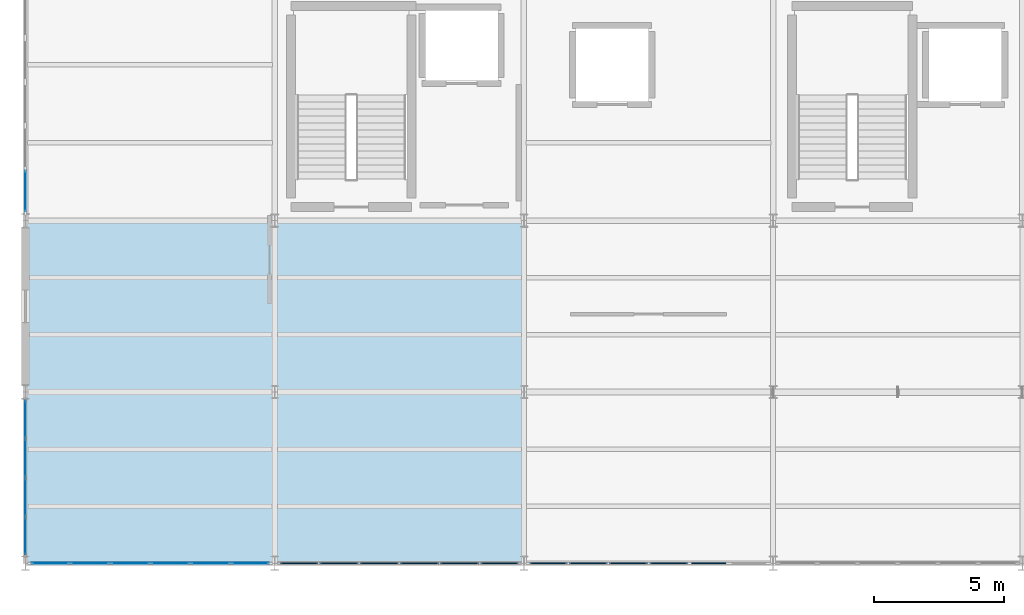
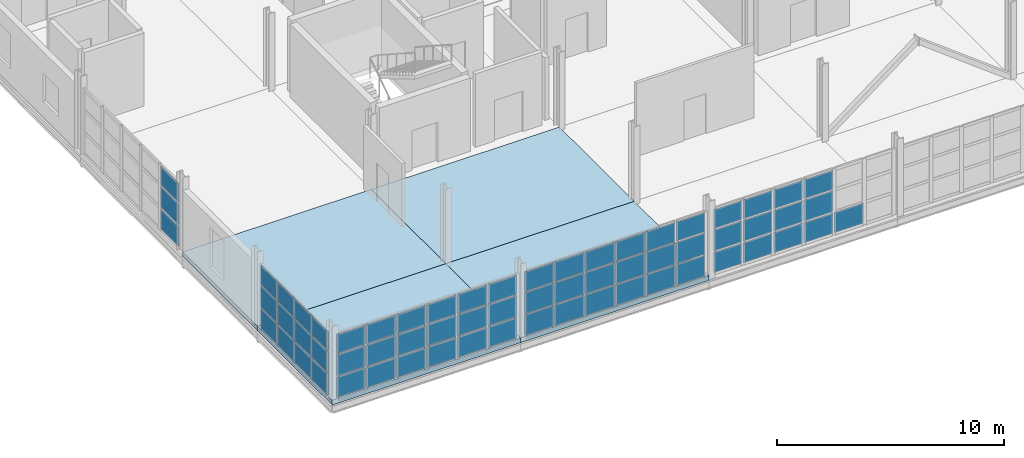
# One storey, part 48 of 82: 64 plates, 4 slabs, 5 elements without a shape of their own.
"""IFC4 building model written with IfcOpenShell, lengths in metres."""

from ifc_helpers import new_model, si_unit, direction, frame, origin, origin_2d, place, context, subcontext, project, spatial, polyline, rectangle, outline, extrude, material, layer, layer_set, type_object, element, aggregate, save


model = new_model("IFC4")

# Units and contexts
model_context = context("Model", 3, precision=1e-05, world=origin(), true_north=direction((0.0, 1.0)))
body_context = subcontext(model_context, "Body", "Model", "MODEL_VIEW")
ifc_project = project(units=[si_unit("LENGTHUNIT", "METRE"), si_unit("AREAUNIT", "SQUARE_METRE"), si_unit("VOLUMEUNIT", "CUBIC_METRE"), si_unit("PLANEANGLEUNIT", "RADIAN"), si_unit("MASSUNIT", "GRAM", prefix="KILO")], contexts=[model_context])

# Site, building, storey
site_placement = place(None, origin())
site = spatial("IfcSite", under=ifc_project, at=site_placement, CompositionType="ELEMENT")
building_placement = place(site_placement, origin())
building = spatial("IfcBuilding", under=site, at=building_placement, Name="Zarnetskaya Central Station", CompositionType="ELEMENT")
storey_placement = place(building_placement, frame((0.0, 0.0, 10.199951171875)))
storey = spatial("IfcBuildingStorey", under=building, at=storey_placement, Name="L02", CompositionType="ELEMENT", Elevation=10.199951171875)

# Curtain wall, plates
ifc_material_1 = material(Name="Low-E insulated glass", Category="glass")
ifc_layer_1 = layer(ifc_material_1, 0.172119140625, Name="Low-E insulated glass", Category="glass")
ifc_layer_set_1 = layer_set([ifc_layer_1], Name="Low-E insulated glass")
curtain_wall_type_1 = type_object("IfcCurtainWallType", Name="CW-SYS-04", PredefinedType="USERDEFINED", material=ifc_layer_set_1)
curtain_wall_1_placement = place(storey_placement, origin())
curtain_wall_1 = element("IfcCurtainWall", 1, at=curtain_wall_1_placement, inside=storey, type_object=curtain_wall_type_1, Name="Curtain wall CW-L02-015", ObjectType="CURTAIN WALL", PredefinedType="USERDEFINED")
ifc_layer_2 = layer(ifc_material_1, 0.028076171875, Name="Low-E insulated glass", Category="glass")
ifc_layer_set_2 = layer_set([ifc_layer_2], Name="Low-E insulated glass")
plate_type_1 = type_object("IfcPlateType", Name="CW-PAN-28", PredefinedType="CURTAIN_PANEL", material=ifc_layer_set_2)
plate_1_placement = place(storey_placement, frame((0.0, 1.048828125, 0.070068359375), z_axis=(0.0, 0.0, 1.0), x_axis=(0.0, 1.0, 0.0)))
plate_1 = element("IfcPlate", 2, at=plate_1_placement, type_object=plate_type_1, Name="CW-15 panel 1.1", PredefinedType="CURTAIN_PANEL", context=body_context, shape_type="SweptSolid", body=[
    extrude(rectangle(XDim=1.407470703125, YDim=0.028076171875, at=origin_2d()), origin(), (0.0, 0.0, 1.0), 1.10205078125),
])
plate_2_placement = place(storey_placement, frame((0.0, 1.048828125, 1.2421875), z_axis=(0.0, 0.0, 1.0), x_axis=(0.0, 1.0, 0.0)))
plate_2 = element("IfcPlate", 3, at=plate_2_placement, type_object=plate_type_1, Name="CW-15 panel 1.2", PredefinedType="CURTAIN_PANEL", context=body_context, shape_type="SweptSolid", body=[
    extrude(rectangle(XDim=1.407470703125, YDim=0.028076171875, at=origin_2d()), origin(), (0.0, 0.0, 1.0), 1.136962890625),
])
plate_3_placement = place(storey_placement, frame((0.0, 1.048828125, 2.44921875), z_axis=(0.0, 0.0, 1.0), x_axis=(0.0, 1.0, 0.0)))
plate_3 = element("IfcPlate", 4, at=plate_3_placement, type_object=plate_type_1, Name="CW-15 panel 1.3", PredefinedType="CURTAIN_PANEL", context=body_context, shape_type="SweptSolid", body=[
    extrude(rectangle(XDim=1.407470703125, YDim=0.028076171875, at=origin_2d()), origin(), (0.0, 0.0, 1.0), 1.031005859375),
])
plate_4_placement = place(storey_placement, frame((0.0, 2.543701171875, 0.070068359375), z_axis=(0.0, 0.0, 1.0), x_axis=(0.0, 1.0, 0.0)))
plate_4 = element("IfcPlate", 5, at=plate_4_placement, type_object=plate_type_1, Name="CW-15 panel 2.1", PredefinedType="CURTAIN_PANEL", context=body_context, shape_type="SweptSolid", body=[
    extrude(rectangle(XDim=1.4423828125, YDim=0.028076171875, at=origin_2d()), origin(), (0.0, 0.0, 1.0), 1.10205078125),
])
plate_5_placement = place(storey_placement, frame((0.0, 2.543701171875, 1.2421875), z_axis=(0.0, 0.0, 1.0), x_axis=(0.0, 1.0, 0.0)))
plate_5 = element("IfcPlate", 6, at=plate_5_placement, type_object=plate_type_1, Name="CW-15 panel 2.2", PredefinedType="CURTAIN_PANEL", context=body_context, shape_type="SweptSolid", body=[
    extrude(rectangle(XDim=1.4423828125, YDim=0.028076171875, at=origin_2d()), origin(), (0.0, 0.0, 1.0), 1.136962890625),
])
plate_6_placement = place(storey_placement, frame((0.0, 2.543701171875, 2.44921875), z_axis=(0.0, 0.0, 1.0), x_axis=(0.0, 1.0, 0.0)))
plate_6 = element("IfcPlate", 7, at=plate_6_placement, type_object=plate_type_1, Name="CW-15 panel 2.3", PredefinedType="CURTAIN_PANEL", context=body_context, shape_type="SweptSolid", body=[
    extrude(rectangle(XDim=1.4423828125, YDim=0.028076171875, at=origin_2d()), origin(), (0.0, 0.0, 1.0), 1.031005859375),
])
plate_7_placement = place(storey_placement, frame((0.0, 4.05615234375, 0.070068359375), z_axis=(0.0, 0.0, 1.0), x_axis=(0.0, 1.0, 0.0)))
plate_7 = element("IfcPlate", 8, at=plate_7_placement, type_object=plate_type_1, Name="CW-15 panel 3.1", PredefinedType="CURTAIN_PANEL", context=body_context, shape_type="SweptSolid", body=[
    extrude(rectangle(XDim=1.4423828125, YDim=0.028076171875, at=origin_2d()), origin(), (0.0, 0.0, 1.0), 1.10205078125),
])
plate_8_placement = place(storey_placement, frame((0.0, 4.05615234375, 1.2421875), z_axis=(0.0, 0.0, 1.0), x_axis=(0.0, 1.0, 0.0)))
plate_8 = element("IfcPlate", 9, at=plate_8_placement, type_object=plate_type_1, Name="CW-15 panel 3.2", PredefinedType="CURTAIN_PANEL", context=body_context, shape_type="SweptSolid", body=[
    extrude(rectangle(XDim=1.4423828125, YDim=0.028076171875, at=origin_2d()), origin(), (0.0, 0.0, 1.0), 1.136962890625),
])
plate_9_placement = place(storey_placement, frame((0.0, 4.05615234375, 2.44921875), z_axis=(0.0, 0.0, 1.0), x_axis=(0.0, 1.0, 0.0)))
plate_9 = element("IfcPlate", 10, at=plate_9_placement, type_object=plate_type_1, Name="CW-15 panel 3.3", PredefinedType="CURTAIN_PANEL", context=body_context, shape_type="SweptSolid", body=[
    extrude(rectangle(XDim=1.4423828125, YDim=0.028076171875, at=origin_2d()), origin(), (0.0, 0.0, 1.0), 1.031005859375),
])
plate_10_placement = place(storey_placement, frame((0.0, 5.55126953125, 0.070068359375), z_axis=(0.0, 0.0, 1.0), x_axis=(0.0, 1.0, 0.0)))
plate_10 = element("IfcPlate", 11, at=plate_10_placement, type_object=plate_type_1, Name="CW-15 panel 4.1", PredefinedType="CURTAIN_PANEL", context=body_context, shape_type="SweptSolid", body=[
    extrude(rectangle(XDim=1.407470703125, YDim=0.028076171875, at=origin_2d()), origin(), (0.0, 0.0, 1.0), 1.10205078125),
])
plate_11_placement = place(storey_placement, frame((0.0, 5.55126953125, 1.2421875), z_axis=(0.0, 0.0, 1.0), x_axis=(0.0, 1.0, 0.0)))
plate_11 = element("IfcPlate", 12, at=plate_11_placement, type_object=plate_type_1, Name="CW-15 panel 4.2", PredefinedType="CURTAIN_PANEL", context=body_context, shape_type="SweptSolid", body=[
    extrude(rectangle(XDim=1.407470703125, YDim=0.028076171875, at=origin_2d()), origin(), (0.0, 0.0, 1.0), 1.136962890625),
])
plate_12_placement = place(storey_placement, frame((0.0, 5.55126953125, 2.44921875), z_axis=(0.0, 0.0, 1.0), x_axis=(0.0, 1.0, 0.0)))
plate_12 = element("IfcPlate", 13, at=plate_12_placement, type_object=plate_type_1, Name="CW-15 panel 4.3", PredefinedType="CURTAIN_PANEL", context=body_context, shape_type="SweptSolid", body=[
    extrude(rectangle(XDim=1.407470703125, YDim=0.028076171875, at=origin_2d()), origin(), (0.0, 0.0, 1.0), 1.031005859375),
])
aggregate(curtain_wall_1, [plate_1, plate_2, plate_3, plate_4, plate_5, plate_6, plate_7, plate_8, plate_9, plate_10, plate_11, plate_12])

ifc_layer_3 = layer(ifc_material_1, 0.16796875, Name="Low-E insulated glass", Category="glass")
ifc_layer_set_3 = layer_set([ifc_layer_3], Name="Low-E insulated glass")
curtain_wall_type_2 = type_object("IfcCurtainWallType", Name="CW-SYS-08", PredefinedType="USERDEFINED", material=ifc_layer_set_3)
curtain_wall_2_placement = place(storey_placement, origin())
curtain_wall_2 = element("IfcCurtainWall", 14, at=curtain_wall_2_placement, inside=storey, type_object=curtain_wall_type_2, Name="Curtain wall CW-L02-030", ObjectType="CURTAIN WALL", PredefinedType="USERDEFINED")
plate_13_placement = place(storey_placement, frame((8.655029296875, 0.0, 0.080078125), z_axis=(0.0, 0.0, 1.0), x_axis=(-1.0, 0.0, 0.0)))
plate_13 = element("IfcPlate", 15, at=plate_13_placement, type_object=plate_type_1, Name="CW-16 panel 1.1", PredefinedType="CURTAIN_PANEL", context=body_context, shape_type="SweptSolid", body=[
    extrude(rectangle(XDim=1.429931640625, YDim=0.028076171875, at=origin_2d()), origin(), (0.0, 0.0, 1.0), 1.0869140625),
])
plate_14_placement = place(storey_placement, frame((8.655029296875, 0.0, 1.2470703125), z_axis=(0.0, 0.0, 1.0), x_axis=(-1.0, 0.0, 0.0)))
plate_14 = element("IfcPlate", 16, at=plate_14_placement, type_object=plate_type_1, Name="CW-16 panel 1.2", PredefinedType="CURTAIN_PANEL", context=body_context, shape_type="SweptSolid", body=[
    extrude(rectangle(XDim=1.429931640625, YDim=0.028076171875, at=origin_2d()), origin(), (0.0, 0.0, 1.0), 1.126953125),
])
plate_15_placement = place(storey_placement, frame((8.655029296875, 0.0, 2.4541015625), z_axis=(0.0, 0.0, 1.0), x_axis=(-1.0, 0.0, 0.0)))
plate_15 = element("IfcPlate", 17, at=plate_15_placement, type_object=plate_type_1, Name="CW-16 panel 1.3", PredefinedType="CURTAIN_PANEL", context=body_context, shape_type="SweptSolid", body=[
    extrude(rectangle(XDim=1.429931640625, YDim=0.028076171875, at=origin_2d()), origin(), (0.0, 0.0, 1.0), 1.01611328125),
])
plate_16_placement = place(storey_placement, frame((7.125, 0.0, 0.080078125), z_axis=(0.0, 0.0, 1.0), x_axis=(-1.0, 0.0, 0.0)))
plate_16 = element("IfcPlate", 18, at=plate_16_placement, type_object=plate_type_1, Name="CW-16 panel 2.1", PredefinedType="CURTAIN_PANEL", context=body_context, shape_type="SweptSolid", body=[
    extrude(rectangle(XDim=1.469970703125, YDim=0.028076171875, at=origin_2d()), origin(), (0.0, 0.0, 1.0), 1.0869140625),
])
plate_17_placement = place(storey_placement, frame((7.125, 0.0, 1.2470703125), z_axis=(0.0, 0.0, 1.0), x_axis=(-1.0, 0.0, 0.0)))
plate_17 = element("IfcPlate", 19, at=plate_17_placement, type_object=plate_type_1, Name="CW-16 panel 2.2", PredefinedType="CURTAIN_PANEL", context=body_context, shape_type="SweptSolid", body=[
    extrude(rectangle(XDim=1.469970703125, YDim=0.028076171875, at=origin_2d()), origin(), (0.0, 0.0, 1.0), 1.126953125),
])
plate_18_placement = place(storey_placement, frame((7.125, 0.0, 2.4541015625), z_axis=(0.0, 0.0, 1.0), x_axis=(-1.0, 0.0, 0.0)))
plate_18 = element("IfcPlate", 20, at=plate_18_placement, type_object=plate_type_1, Name="CW-16 panel 2.3", PredefinedType="CURTAIN_PANEL", context=body_context, shape_type="SweptSolid", body=[
    extrude(rectangle(XDim=1.469970703125, YDim=0.028076171875, at=origin_2d()), origin(), (0.0, 0.0, 1.0), 1.01611328125),
])
plate_19_placement = place(storey_placement, frame((5.574951171875, 0.0, 0.080078125), z_axis=(0.0, 0.0, 1.0), x_axis=(-1.0, 0.0, 0.0)))
plate_19 = element("IfcPlate", 21, at=plate_19_placement, type_object=plate_type_1, Name="CW-16 panel 3.1", PredefinedType="CURTAIN_PANEL", context=body_context, shape_type="SweptSolid", body=[
    extrude(rectangle(XDim=1.469970703125, YDim=0.028076171875, at=origin_2d()), origin(), (0.0, 0.0, 1.0), 1.0869140625),
])
plate_20_placement = place(storey_placement, frame((5.574951171875, 0.0, 1.2470703125), z_axis=(0.0, 0.0, 1.0), x_axis=(-1.0, 0.0, 0.0)))
plate_20 = element("IfcPlate", 22, at=plate_20_placement, type_object=plate_type_1, Name="CW-16 panel 3.2", PredefinedType="CURTAIN_PANEL", context=body_context, shape_type="SweptSolid", body=[
    extrude(rectangle(XDim=1.469970703125, YDim=0.028076171875, at=origin_2d()), origin(), (0.0, 0.0, 1.0), 1.126953125),
])
plate_21_placement = place(storey_placement, frame((5.574951171875, 0.0, 2.4541015625), z_axis=(0.0, 0.0, 1.0), x_axis=(-1.0, 0.0, 0.0)))
plate_21 = element("IfcPlate", 23, at=plate_21_placement, type_object=plate_type_1, Name="CW-16 panel 3.3", PredefinedType="CURTAIN_PANEL", context=body_context, shape_type="SweptSolid", body=[
    extrude(rectangle(XDim=1.469970703125, YDim=0.028076171875, at=origin_2d()), origin(), (0.0, 0.0, 1.0), 1.01611328125),
])
plate_22_placement = place(storey_placement, frame((4.02490234375, 0.0, 0.080078125), z_axis=(0.0, 0.0, 1.0), x_axis=(-1.0, 0.0, 0.0)))
plate_22 = element("IfcPlate", 24, at=plate_22_placement, type_object=plate_type_1, Name="CW-16 panel 4.1", PredefinedType="CURTAIN_PANEL", context=body_context, shape_type="SweptSolid", body=[
    extrude(rectangle(XDim=1.469970703125, YDim=0.028076171875, at=origin_2d()), origin(), (0.0, 0.0, 1.0), 1.0869140625),
])
plate_23_placement = place(storey_placement, frame((4.02490234375, 0.0, 1.2470703125), z_axis=(0.0, 0.0, 1.0), x_axis=(-1.0, 0.0, 0.0)))
plate_23 = element("IfcPlate", 25, at=plate_23_placement, type_object=plate_type_1, Name="CW-16 panel 4.2", PredefinedType="CURTAIN_PANEL", context=body_context, shape_type="SweptSolid", body=[
    extrude(rectangle(XDim=1.469970703125, YDim=0.028076171875, at=origin_2d()), origin(), (0.0, 0.0, 1.0), 1.126953125),
])
plate_24_placement = place(storey_placement, frame((4.02490234375, 0.0, 2.4541015625), z_axis=(0.0, 0.0, 1.0), x_axis=(-1.0, 0.0, 0.0)))
plate_24 = element("IfcPlate", 26, at=plate_24_placement, type_object=plate_type_1, Name="CW-16 panel 4.3", PredefinedType="CURTAIN_PANEL", context=body_context, shape_type="SweptSolid", body=[
    extrude(rectangle(XDim=1.469970703125, YDim=0.028076171875, at=origin_2d()), origin(), (0.0, 0.0, 1.0), 1.01611328125),
])
plate_25_placement = place(storey_placement, frame((2.47509765625, 0.0, 0.080078125), z_axis=(0.0, 0.0, 1.0), x_axis=(-1.0, 0.0, 0.0)))
plate_25 = element("IfcPlate", 27, at=plate_25_placement, type_object=plate_type_1, Name="CW-16 panel 5.1", PredefinedType="CURTAIN_PANEL", context=body_context, shape_type="SweptSolid", body=[
    extrude(rectangle(XDim=1.469970703125, YDim=0.028076171875, at=origin_2d()), origin(), (0.0, 0.0, 1.0), 1.0869140625),
])
plate_26_placement = place(storey_placement, frame((2.47509765625, 0.0, 1.2470703125), z_axis=(0.0, 0.0, 1.0), x_axis=(-1.0, 0.0, 0.0)))
plate_26 = element("IfcPlate", 28, at=plate_26_placement, type_object=plate_type_1, Name="CW-16 panel 5.2", PredefinedType="CURTAIN_PANEL", context=body_context, shape_type="SweptSolid", body=[
    extrude(rectangle(XDim=1.469970703125, YDim=0.028076171875, at=origin_2d()), origin(), (0.0, 0.0, 1.0), 1.126953125),
])
plate_27_placement = place(storey_placement, frame((2.47509765625, 0.0, 2.4541015625), z_axis=(0.0, 0.0, 1.0), x_axis=(-1.0, 0.0, 0.0)))
plate_27 = element("IfcPlate", 29, at=plate_27_placement, type_object=plate_type_1, Name="CW-16 panel 5.3", PredefinedType="CURTAIN_PANEL", context=body_context, shape_type="SweptSolid", body=[
    extrude(rectangle(XDim=1.469970703125, YDim=0.028076171875, at=origin_2d()), origin(), (0.0, 0.0, 1.0), 1.01611328125),
])
plate_28_placement = place(storey_placement, frame((0.945068359375, 0.0, 0.080078125), z_axis=(0.0, 0.0, 1.0), x_axis=(-1.0, 0.0, 0.0)))
plate_28 = element("IfcPlate", 30, at=plate_28_placement, type_object=plate_type_1, Name="CW-16 panel 6.1", PredefinedType="CURTAIN_PANEL", context=body_context, shape_type="SweptSolid", body=[
    extrude(rectangle(XDim=1.429931640625, YDim=0.028076171875, at=origin_2d()), origin(), (0.0, 0.0, 1.0), 1.0869140625),
])
plate_29_placement = place(storey_placement, frame((0.945068359375, 0.0, 1.2470703125), z_axis=(0.0, 0.0, 1.0), x_axis=(-1.0, 0.0, 0.0)))
plate_29 = element("IfcPlate", 31, at=plate_29_placement, type_object=plate_type_1, Name="CW-16 panel 6.2", PredefinedType="CURTAIN_PANEL", context=body_context, shape_type="SweptSolid", body=[
    extrude(rectangle(XDim=1.429931640625, YDim=0.028076171875, at=origin_2d()), origin(), (0.0, 0.0, 1.0), 1.126953125),
])
plate_30_placement = place(storey_placement, frame((0.945068359375, 0.0, 2.4541015625), z_axis=(0.0, 0.0, 1.0), x_axis=(-1.0, 0.0, 0.0)))
plate_30 = element("IfcPlate", 32, at=plate_30_placement, type_object=plate_type_1, Name="CW-16 panel 6.3", PredefinedType="CURTAIN_PANEL", context=body_context, shape_type="SweptSolid", body=[
    extrude(rectangle(XDim=1.429931640625, YDim=0.028076171875, at=origin_2d()), origin(), (0.0, 0.0, 1.0), 1.01611328125),
])
aggregate(curtain_wall_2, [plate_13, plate_14, plate_15, plate_16, plate_17, plate_18, plate_19, plate_20, plate_21, plate_22, plate_23, plate_24, plate_25, plate_26, plate_27, plate_28, plate_29, plate_30])

ifc_layer_4 = layer(ifc_material_1, 0.159912109375, Name="Low-E insulated glass", Category="glass")
ifc_layer_set_4 = layer_set([ifc_layer_4], Name="Low-E insulated glass")
curtain_wall_type_3 = type_object("IfcCurtainWallType", Name="CW-SYS-06", PredefinedType="USERDEFINED", material=ifc_layer_set_4)
curtain_wall_3_placement = place(storey_placement, origin())
curtain_wall_3 = element("IfcCurtainWall", 33, at=curtain_wall_3_placement, inside=storey, type_object=curtain_wall_type_3, Name="Curtain wall CW-L02-016", ObjectType="CURTAIN WALL", PredefinedType="USERDEFINED")
ifc_layer_5 = layer(ifc_material_1, 0.031982421875, Name="Low-E insulated glass", Category="glass")
ifc_layer_set_5 = layer_set([ifc_layer_5], Name="Low-E insulated glass")
plate_type_2 = type_object("IfcPlateType", Name="CW-PAN-32", PredefinedType="CURTAIN_PANEL", material=ifc_layer_set_5)
plate_31_placement = place(storey_placement, frame((0.0, 14.340087890625, 0.080078125), z_axis=(0.0, 0.0, 1.0), x_axis=(0.0, 1.0, 0.0)))
plate_31 = element("IfcPlate", 34, at=plate_31_placement, type_object=plate_type_2, Name="CW-02 panel 1.1", PredefinedType="CURTAIN_PANEL", context=body_context, shape_type="SweptSolid", body=[
    extrude(rectangle(XDim=1.570068359375, YDim=0.031982421875, at=origin_2d()), origin(), (0.0, 0.0, 1.0), 1.0869140625),
])
plate_32_placement = place(storey_placement, frame((0.0, 14.340087890625, 1.2470703125), z_axis=(0.0, 0.0, 1.0), x_axis=(0.0, 1.0, 0.0)))
plate_32 = element("IfcPlate", 35, at=plate_32_placement, type_object=plate_type_2, Name="CW-02 panel 1.2", PredefinedType="CURTAIN_PANEL", context=body_context, shape_type="SweptSolid", body=[
    extrude(rectangle(XDim=1.570068359375, YDim=0.031982421875, at=origin_2d()), origin(), (0.0, 0.0, 1.0), 1.126953125),
])
plate_33_placement = place(storey_placement, frame((0.0, 14.340087890625, 2.4541015625), z_axis=(0.0, 0.0, 1.0), x_axis=(0.0, 1.0, 0.0)))
plate_33 = element("IfcPlate", 36, at=plate_33_placement, type_object=plate_type_2, Name="CW-02 panel 1.3", PredefinedType="CURTAIN_PANEL", context=body_context, shape_type="SweptSolid", body=[
    extrude(rectangle(XDim=1.570068359375, YDim=0.031982421875, at=origin_2d()), origin(), (0.0, 0.0, 1.0), 1.01611328125),
])
aggregate(curtain_wall_3, [plate_31, plate_32, plate_33])

curtain_wall_4_placement = place(storey_placement, origin())
curtain_wall_4 = element("IfcCurtainWall", 37, at=curtain_wall_4_placement, inside=storey, type_object=curtain_wall_type_3, Name="Curtain wall CW-L02-028", ObjectType="CURTAIN WALL", PredefinedType="USERDEFINED")
ifc_layer_6 = layer(ifc_material_1, 0.0400390625, Name="Low-E insulated glass", Category="glass")
ifc_layer_set_6 = layer_set([ifc_layer_6], Name="Low-E insulated glass")
plate_type_3 = type_object("IfcPlateType", Name="CW-PAN-40", PredefinedType="CURTAIN_PANEL", material=ifc_layer_set_6)
plate_34_placement = place(storey_placement, frame((26.324951171875, 0.0, 0.080078125), z_axis=(0.0, 0.0, 1.0), x_axis=(-1.0, 0.0, 0.0)))
plate_34 = element("IfcPlate", 38, at=plate_34_placement, type_object=plate_type_3, Name="CW-02 panel 2.1", PredefinedType="CURTAIN_PANEL", context=body_context, shape_type="SweptSolid", body=[
    extrude(rectangle(XDim=1.469970703125, YDim=0.0400390625, at=origin_2d()), origin(), (0.0, 0.0, 1.0), 1.0869140625),
])
plate_35_placement = place(storey_placement, frame((24.77490234375, 0.0, 0.080078125), z_axis=(0.0, 0.0, 1.0), x_axis=(-1.0, 0.0, 0.0)))
plate_35 = element("IfcPlate", 39, at=plate_35_placement, type_object=plate_type_3, Name="CW-02 panel 3.1", PredefinedType="CURTAIN_PANEL", context=body_context, shape_type="SweptSolid", body=[
    extrude(rectangle(XDim=1.469970703125, YDim=0.0400390625, at=origin_2d()), origin(), (0.0, 0.0, 1.0), 1.0869140625),
])
plate_36_placement = place(storey_placement, frame((24.77490234375, 0.0, 1.2470703125), z_axis=(0.0, 0.0, 1.0), x_axis=(-1.0, 0.0, 0.0)))
plate_36 = element("IfcPlate", 40, at=plate_36_placement, type_object=plate_type_3, Name="CW-02 panel 3.2", PredefinedType="CURTAIN_PANEL", context=body_context, shape_type="SweptSolid", body=[
    extrude(rectangle(XDim=1.469970703125, YDim=0.0400390625, at=origin_2d()), origin(), (0.0, 0.0, 1.0), 1.126953125),
])
plate_37_placement = place(storey_placement, frame((24.77490234375, 0.0, 2.4541015625), z_axis=(0.0, 0.0, 1.0), x_axis=(-1.0, 0.0, 0.0)))
plate_37 = element("IfcPlate", 41, at=plate_37_placement, type_object=plate_type_3, Name="CW-02 panel 3.3", PredefinedType="CURTAIN_PANEL", context=body_context, shape_type="SweptSolid", body=[
    extrude(rectangle(XDim=1.469970703125, YDim=0.0400390625, at=origin_2d()), origin(), (0.0, 0.0, 1.0), 1.01611328125),
])
plate_38_placement = place(storey_placement, frame((23.22509765625, 0.0, 0.080078125), z_axis=(0.0, 0.0, 1.0), x_axis=(-1.0, 0.0, 0.0)))
plate_38 = element("IfcPlate", 42, at=plate_38_placement, type_object=plate_type_3, Name="CW-02 panel 4.1", PredefinedType="CURTAIN_PANEL", context=body_context, shape_type="SweptSolid", body=[
    extrude(rectangle(XDim=1.469970703125, YDim=0.0400390625, at=origin_2d()), origin(), (0.0, 0.0, 1.0), 1.0869140625),
])
plate_39_placement = place(storey_placement, frame((23.22509765625, 0.0, 1.2470703125), z_axis=(0.0, 0.0, 1.0), x_axis=(-1.0, 0.0, 0.0)))
plate_39 = element("IfcPlate", 43, at=plate_39_placement, type_object=plate_type_3, Name="CW-02 panel 4.2", PredefinedType="CURTAIN_PANEL", context=body_context, shape_type="SweptSolid", body=[
    extrude(rectangle(XDim=1.469970703125, YDim=0.0400390625, at=origin_2d()), origin(), (0.0, 0.0, 1.0), 1.126953125),
])
plate_40_placement = place(storey_placement, frame((23.22509765625, 0.0, 2.4541015625), z_axis=(0.0, 0.0, 1.0), x_axis=(-1.0, 0.0, 0.0)))
plate_40 = element("IfcPlate", 44, at=plate_40_placement, type_object=plate_type_3, Name="CW-02 panel 4.3", PredefinedType="CURTAIN_PANEL", context=body_context, shape_type="SweptSolid", body=[
    extrude(rectangle(XDim=1.469970703125, YDim=0.0400390625, at=origin_2d()), origin(), (0.0, 0.0, 1.0), 1.01611328125),
])
plate_41_placement = place(storey_placement, frame((21.675048828125, 0.0, 0.080078125), z_axis=(0.0, 0.0, 1.0), x_axis=(-1.0, 0.0, 0.0)))
plate_41 = element("IfcPlate", 45, at=plate_41_placement, type_object=plate_type_3, Name="CW-02 panel 5.1", PredefinedType="CURTAIN_PANEL", context=body_context, shape_type="SweptSolid", body=[
    extrude(rectangle(XDim=1.469970703125, YDim=0.0400390625, at=origin_2d()), origin(), (0.0, 0.0, 1.0), 1.0869140625),
])
plate_42_placement = place(storey_placement, frame((21.675048828125, 0.0, 1.2470703125), z_axis=(0.0, 0.0, 1.0), x_axis=(-1.0, 0.0, 0.0)))
plate_42 = element("IfcPlate", 46, at=plate_42_placement, type_object=plate_type_3, Name="CW-02 panel 5.2", PredefinedType="CURTAIN_PANEL", context=body_context, shape_type="SweptSolid", body=[
    extrude(rectangle(XDim=1.469970703125, YDim=0.0400390625, at=origin_2d()), origin(), (0.0, 0.0, 1.0), 1.126953125),
])
plate_43_placement = place(storey_placement, frame((21.675048828125, 0.0, 2.4541015625), z_axis=(0.0, 0.0, 1.0), x_axis=(-1.0, 0.0, 0.0)))
plate_43 = element("IfcPlate", 47, at=plate_43_placement, type_object=plate_type_3, Name="CW-02 panel 5.3", PredefinedType="CURTAIN_PANEL", context=body_context, shape_type="SweptSolid", body=[
    extrude(rectangle(XDim=1.469970703125, YDim=0.0400390625, at=origin_2d()), origin(), (0.0, 0.0, 1.0), 1.01611328125),
])
plate_44_placement = place(storey_placement, frame((20.14501953125, 0.0, 0.080078125), z_axis=(0.0, 0.0, 1.0), x_axis=(-1.0, 0.0, 0.0)))
plate_44 = element("IfcPlate", 48, at=plate_44_placement, type_object=plate_type_3, Name="CW-02 panel 6.1", PredefinedType="CURTAIN_PANEL", context=body_context, shape_type="SweptSolid", body=[
    extrude(rectangle(XDim=1.429931640625, YDim=0.0400390625, at=origin_2d()), origin(), (0.0, 0.0, 1.0), 1.0869140625),
])
plate_45_placement = place(storey_placement, frame((20.14501953125, 0.0, 1.2470703125), z_axis=(0.0, 0.0, 1.0), x_axis=(-1.0, 0.0, 0.0)))
plate_45 = element("IfcPlate", 49, at=plate_45_placement, type_object=plate_type_3, Name="CW-02 panel 6.2", PredefinedType="CURTAIN_PANEL", context=body_context, shape_type="SweptSolid", body=[
    extrude(rectangle(XDim=1.429931640625, YDim=0.0400390625, at=origin_2d()), origin(), (0.0, 0.0, 1.0), 1.126953125),
])
plate_46_placement = place(storey_placement, frame((20.14501953125, 0.0, 2.4541015625), z_axis=(0.0, 0.0, 1.0), x_axis=(-1.0, 0.0, 0.0)))
plate_46 = element("IfcPlate", 50, at=plate_46_placement, type_object=plate_type_3, Name="CW-02 panel 6.3", PredefinedType="CURTAIN_PANEL", context=body_context, shape_type="SweptSolid", body=[
    extrude(rectangle(XDim=1.429931640625, YDim=0.0400390625, at=origin_2d()), origin(), (0.0, 0.0, 1.0), 1.01611328125),
])
aggregate(curtain_wall_4, [plate_34, plate_35, plate_36, plate_37, plate_38, plate_39, plate_40, plate_41, plate_42, plate_43, plate_44, plate_45, plate_46])

ifc_layer_7 = layer(ifc_material_1, 0.1640625, Name="Low-E insulated glass", Category="glass")
ifc_layer_set_7 = layer_set([ifc_layer_7], Name="Low-E insulated glass")
curtain_wall_type_4 = type_object("IfcCurtainWallType", Name="CW-SYS-07", PredefinedType="USERDEFINED", material=ifc_layer_set_7)
curtain_wall_5_placement = place(storey_placement, origin())
curtain_wall_5 = element("IfcCurtainWall", 51, at=curtain_wall_5_placement, inside=storey, type_object=curtain_wall_type_4, Name="Curtain wall CW-L02-029", ObjectType="CURTAIN WALL", PredefinedType="USERDEFINED")
ifc_layer_8 = layer(ifc_material_1, 0.0439453125, Name="Low-E insulated glass", Category="glass")
ifc_layer_set_8 = layer_set([ifc_layer_8], Name="Low-E insulated glass")
plate_type_4 = type_object("IfcPlateType", Name="CW-PAN-44", PredefinedType="CURTAIN_PANEL", material=ifc_layer_set_8)
plate_47_placement = place(storey_placement, frame((18.257568359375, 0.0, 0.070068359375), z_axis=(0.0, 0.0, 1.0), x_axis=(-1.0, 0.0, 0.0)))
plate_47 = element("IfcPlate", 52, at=plate_47_placement, type_object=plate_type_4, Name="CW-06 panel 1.1", PredefinedType="CURTAIN_PANEL", context=body_context, shape_type="SweptSolid", body=[
    extrude(rectangle(XDim=1.445068359375, YDim=0.0439453125, at=origin_2d()), origin(), (0.0, 0.0, 1.0), 1.10205078125),
])
plate_48_placement = place(storey_placement, frame((18.257568359375, 0.0, 1.2421875), z_axis=(0.0, 0.0, 1.0), x_axis=(-1.0, 0.0, 0.0)))
plate_48 = element("IfcPlate", 53, at=plate_48_placement, type_object=plate_type_4, Name="CW-06 panel 1.2", PredefinedType="CURTAIN_PANEL", context=body_context, shape_type="SweptSolid", body=[
    extrude(rectangle(XDim=1.445068359375, YDim=0.0439453125, at=origin_2d()), origin(), (0.0, 0.0, 1.0), 1.136962890625),
])
plate_49_placement = place(storey_placement, frame((18.257568359375, 0.0, 2.44921875), z_axis=(0.0, 0.0, 1.0), x_axis=(-1.0, 0.0, 0.0)))
plate_49 = element("IfcPlate", 54, at=plate_49_placement, type_object=plate_type_4, Name="CW-06 panel 1.3", PredefinedType="CURTAIN_PANEL", context=body_context, shape_type="SweptSolid", body=[
    extrude(rectangle(XDim=1.445068359375, YDim=0.0439453125, at=origin_2d()), origin(), (0.0, 0.0, 1.0), 1.031005859375),
])
plate_50_placement = place(storey_placement, frame((16.72509765625, 0.0, 0.070068359375), z_axis=(0.0, 0.0, 1.0), x_axis=(-1.0, 0.0, 0.0)))
plate_50 = element("IfcPlate", 55, at=plate_50_placement, type_object=plate_type_4, Name="CW-06 panel 2.1", PredefinedType="CURTAIN_PANEL", context=body_context, shape_type="SweptSolid", body=[
    extrude(rectangle(XDim=1.47998046875, YDim=0.0439453125, at=origin_2d()), origin(), (0.0, 0.0, 1.0), 1.10205078125),
])
plate_51_placement = place(storey_placement, frame((16.72509765625, 0.0, 1.2421875), z_axis=(0.0, 0.0, 1.0), x_axis=(-1.0, 0.0, 0.0)))
plate_51 = element("IfcPlate", 56, at=plate_51_placement, type_object=plate_type_4, Name="CW-06 panel 2.2", PredefinedType="CURTAIN_PANEL", context=body_context, shape_type="SweptSolid", body=[
    extrude(rectangle(XDim=1.47998046875, YDim=0.0439453125, at=origin_2d()), origin(), (0.0, 0.0, 1.0), 1.136962890625),
])
plate_52_placement = place(storey_placement, frame((16.72509765625, 0.0, 2.44921875), z_axis=(0.0, 0.0, 1.0), x_axis=(-1.0, 0.0, 0.0)))
plate_52 = element("IfcPlate", 57, at=plate_52_placement, type_object=plate_type_4, Name="CW-06 panel 2.3", PredefinedType="CURTAIN_PANEL", context=body_context, shape_type="SweptSolid", body=[
    extrude(rectangle(XDim=1.47998046875, YDim=0.0439453125, at=origin_2d()), origin(), (0.0, 0.0, 1.0), 1.031005859375),
])
plate_53_placement = place(storey_placement, frame((15.175048828125, 0.0, 0.070068359375), z_axis=(0.0, 0.0, 1.0), x_axis=(-1.0, 0.0, 0.0)))
plate_53 = element("IfcPlate", 58, at=plate_53_placement, type_object=plate_type_4, Name="CW-06 panel 3.1", PredefinedType="CURTAIN_PANEL", context=body_context, shape_type="SweptSolid", body=[
    extrude(rectangle(XDim=1.47998046875, YDim=0.0439453125, at=origin_2d()), origin(), (0.0, 0.0, 1.0), 1.10205078125),
])
plate_54_placement = place(storey_placement, frame((15.175048828125, 0.0, 1.2421875), z_axis=(0.0, 0.0, 1.0), x_axis=(-1.0, 0.0, 0.0)))
plate_54 = element("IfcPlate", 59, at=plate_54_placement, type_object=plate_type_4, Name="CW-06 panel 3.2", PredefinedType="CURTAIN_PANEL", context=body_context, shape_type="SweptSolid", body=[
    extrude(rectangle(XDim=1.47998046875, YDim=0.0439453125, at=origin_2d()), origin(), (0.0, 0.0, 1.0), 1.136962890625),
])
plate_55_placement = place(storey_placement, frame((15.175048828125, 0.0, 2.44921875), z_axis=(0.0, 0.0, 1.0), x_axis=(-1.0, 0.0, 0.0)))
plate_55 = element("IfcPlate", 60, at=plate_55_placement, type_object=plate_type_4, Name="CW-06 panel 3.3", PredefinedType="CURTAIN_PANEL", context=body_context, shape_type="SweptSolid", body=[
    extrude(rectangle(XDim=1.47998046875, YDim=0.0439453125, at=origin_2d()), origin(), (0.0, 0.0, 1.0), 1.031005859375),
])
plate_56_placement = place(storey_placement, frame((13.625, 0.0, 0.070068359375), z_axis=(0.0, 0.0, 1.0), x_axis=(-1.0, 0.0, 0.0)))
plate_56 = element("IfcPlate", 61, at=plate_56_placement, type_object=plate_type_4, Name="CW-06 panel 4.1", PredefinedType="CURTAIN_PANEL", context=body_context, shape_type="SweptSolid", body=[
    extrude(rectangle(XDim=1.47998046875, YDim=0.0439453125, at=origin_2d()), origin(), (0.0, 0.0, 1.0), 1.10205078125),
])
plate_57_placement = place(storey_placement, frame((13.625, 0.0, 1.2421875), z_axis=(0.0, 0.0, 1.0), x_axis=(-1.0, 0.0, 0.0)))
plate_57 = element("IfcPlate", 62, at=plate_57_placement, type_object=plate_type_4, Name="CW-06 panel 4.2", PredefinedType="CURTAIN_PANEL", context=body_context, shape_type="SweptSolid", body=[
    extrude(rectangle(XDim=1.47998046875, YDim=0.0439453125, at=origin_2d()), origin(), (0.0, 0.0, 1.0), 1.136962890625),
])
plate_58_placement = place(storey_placement, frame((13.625, 0.0, 2.44921875), z_axis=(0.0, 0.0, 1.0), x_axis=(-1.0, 0.0, 0.0)))
plate_58 = element("IfcPlate", 63, at=plate_58_placement, type_object=plate_type_4, Name="CW-06 panel 4.3", PredefinedType="CURTAIN_PANEL", context=body_context, shape_type="SweptSolid", body=[
    extrude(rectangle(XDim=1.47998046875, YDim=0.0439453125, at=origin_2d()), origin(), (0.0, 0.0, 1.0), 1.031005859375),
])
plate_59_placement = place(storey_placement, frame((12.074951171875, 0.0, 0.070068359375), z_axis=(0.0, 0.0, 1.0), x_axis=(-1.0, 0.0, 0.0)))
plate_59 = element("IfcPlate", 64, at=plate_59_placement, type_object=plate_type_4, Name="CW-06 panel 5.1", PredefinedType="CURTAIN_PANEL", context=body_context, shape_type="SweptSolid", body=[
    extrude(rectangle(XDim=1.47998046875, YDim=0.0439453125, at=origin_2d()), origin(), (0.0, 0.0, 1.0), 1.10205078125),
])
plate_60_placement = place(storey_placement, frame((12.074951171875, 0.0, 1.2421875), z_axis=(0.0, 0.0, 1.0), x_axis=(-1.0, 0.0, 0.0)))
plate_60 = element("IfcPlate", 65, at=plate_60_placement, type_object=plate_type_4, Name="CW-06 panel 5.2", PredefinedType="CURTAIN_PANEL", context=body_context, shape_type="SweptSolid", body=[
    extrude(rectangle(XDim=1.47998046875, YDim=0.0439453125, at=origin_2d()), origin(), (0.0, 0.0, 1.0), 1.136962890625),
])
plate_61_placement = place(storey_placement, frame((12.074951171875, 0.0, 2.44921875), z_axis=(0.0, 0.0, 1.0), x_axis=(-1.0, 0.0, 0.0)))
plate_61 = element("IfcPlate", 66, at=plate_61_placement, type_object=plate_type_4, Name="CW-06 panel 5.3", PredefinedType="CURTAIN_PANEL", context=body_context, shape_type="SweptSolid", body=[
    extrude(rectangle(XDim=1.47998046875, YDim=0.0439453125, at=origin_2d()), origin(), (0.0, 0.0, 1.0), 1.031005859375),
])
plate_62_placement = place(storey_placement, frame((10.54248046875, 0.0, 0.070068359375), z_axis=(0.0, 0.0, 1.0), x_axis=(-1.0, 0.0, 0.0)))
plate_62 = element("IfcPlate", 67, at=plate_62_placement, type_object=plate_type_4, Name="CW-06 panel 6.1", PredefinedType="CURTAIN_PANEL", context=body_context, shape_type="SweptSolid", body=[
    extrude(rectangle(XDim=1.445068359375, YDim=0.0439453125, at=origin_2d()), origin(), (0.0, 0.0, 1.0), 1.10205078125),
])
plate_63_placement = place(storey_placement, frame((10.54248046875, 0.0, 1.2421875), z_axis=(0.0, 0.0, 1.0), x_axis=(-1.0, 0.0, 0.0)))
plate_63 = element("IfcPlate", 68, at=plate_63_placement, type_object=plate_type_4, Name="CW-06 panel 6.2", PredefinedType="CURTAIN_PANEL", context=body_context, shape_type="SweptSolid", body=[
    extrude(rectangle(XDim=1.445068359375, YDim=0.0439453125, at=origin_2d()), origin(), (0.0, 0.0, 1.0), 1.136962890625),
])
plate_64_placement = place(storey_placement, frame((10.54248046875, 0.0, 2.44921875), z_axis=(0.0, 0.0, 1.0), x_axis=(-1.0, 0.0, 0.0)))
plate_64 = element("IfcPlate", 69, at=plate_64_placement, type_object=plate_type_4, Name="CW-06 panel 6.3", PredefinedType="CURTAIN_PANEL", context=body_context, shape_type="SweptSolid", body=[
    extrude(rectangle(XDim=1.445068359375, YDim=0.0439453125, at=origin_2d()), origin(), (0.0, 0.0, 1.0), 1.031005859375),
])
aggregate(curtain_wall_5, [plate_47, plate_48, plate_49, plate_50, plate_51, plate_52, plate_53, plate_54, plate_55, plate_56, plate_57, plate_58, plate_59, plate_60, plate_61, plate_62, plate_63, plate_64])

# Slabs
ifc_material_2 = material(Name="Concrete C30/37", Category="concrete")
ifc_layer_9 = layer(ifc_material_2, 0.260009765625, Name="Concrete C30/37", Category="concrete")
ifc_layer_set_9 = layer_set([ifc_layer_9], Name="Concrete C30/37")
slab_type = type_object("IfcSlabType", Name="SLAB-L02-260", PredefinedType="FLOOR", material=ifc_layer_set_9)
slab_1_placement = place(storey_placement, frame((0.0, 0.0, -0.260009765625)))
element("IfcSlab", 70, at=slab_1_placement, inside=storey, type_object=slab_type, Name="L02 slab A-B/1-2", PredefinedType="FLOOR", context=body_context, shape_type="SweptSolid", body=[
    extrude(outline(polyline([(0.0, 0.0), (9.60009765625, 0.0), (9.60009765625, 6.60009765625), (0.0, 6.60009765625), (0.0, 0.0)])), origin(), (0.0, 0.0, 1.0), 0.260009765625),
])
slab_2_placement = place(storey_placement, frame((0.0, 0.0, -0.260009765625)))
element("IfcSlab", 71, at=slab_2_placement, inside=storey, type_object=slab_type, Name="L02 slab A-B/2-3", PredefinedType="FLOOR", context=body_context, shape_type="SweptSolid", body=[
    extrude(outline(polyline([(0.0, 6.60009765625), (9.60009765625, 6.60009765625), (9.60009765625, 13.199951171875), (0.0, 13.199951171875), (0.0, 6.60009765625)])), origin(), (0.0, 0.0, 1.0), 0.260009765625),
])
slab_3_placement = place(storey_placement, frame((0.0, 0.0, -0.260009765625)))
element("IfcSlab", 72, at=slab_3_placement, inside=storey, type_object=slab_type, Name="L02 slab B-C/1-2", PredefinedType="FLOOR", context=body_context, shape_type="SweptSolid", body=[
    extrude(outline(polyline([(9.60009765625, 0.0), (19.199951171875, 0.0), (19.199951171875, 6.60009765625), (9.60009765625, 6.60009765625), (9.60009765625, 0.0)])), origin(), (0.0, 0.0, 1.0), 0.260009765625),
])
slab_4_placement = place(storey_placement, frame((0.0, 0.0, -0.260009765625)))
element("IfcSlab", 73, at=slab_4_placement, inside=storey, type_object=slab_type, Name="L02 slab B-C/2-3", PredefinedType="FLOOR", context=body_context, shape_type="SweptSolid", body=[
    extrude(outline(polyline([(9.60009765625, 6.60009765625), (19.199951171875, 6.60009765625), (19.199951171875, 13.199951171875), (9.60009765625, 13.199951171875), (9.60009765625, 6.60009765625)])), origin(), (0.0, 0.0, 1.0), 0.260009765625),
])

save(model, "model.ifc")
